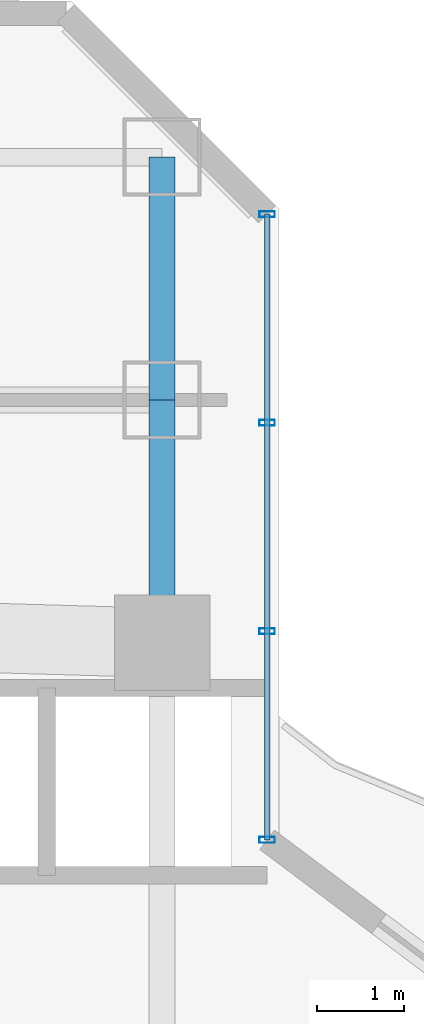
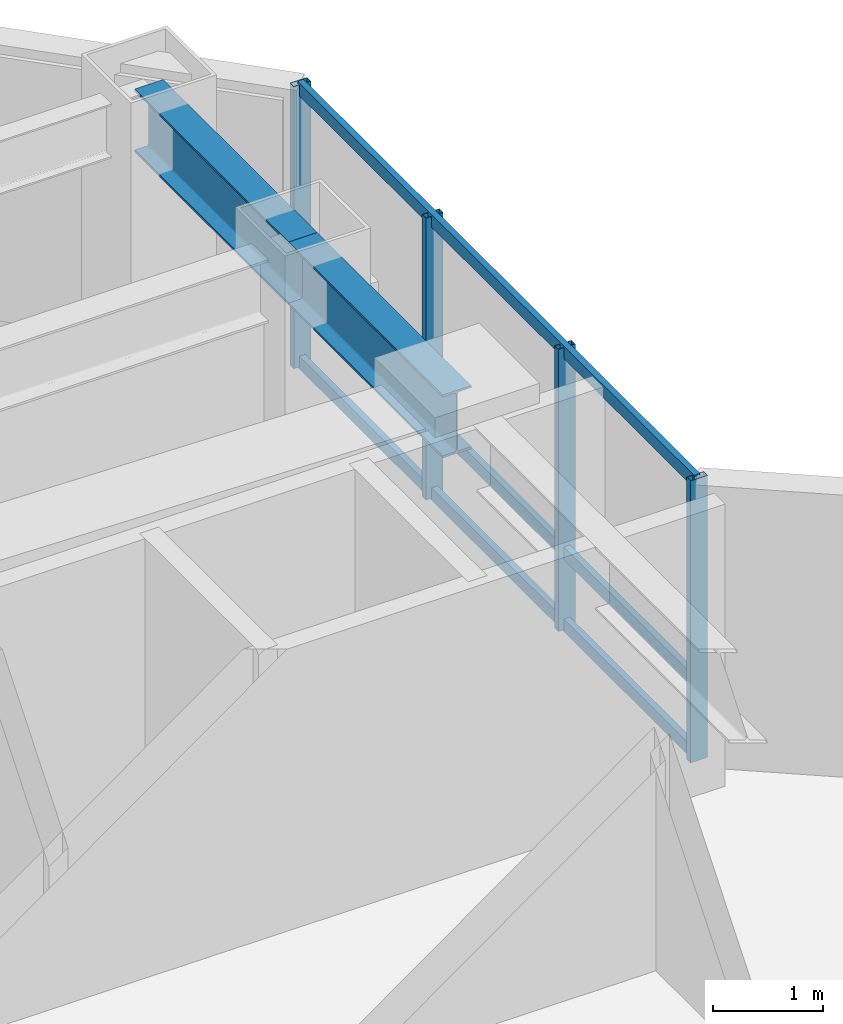
# One storey, part 19 of 31: 7 members, 2 beams, 1 element without a shape of its own.
"""IFC4 building model written with IfcOpenShell, lengths in metres."""

from ifc_helpers import new_model, si_unit, direction, frame, origin, origin_2d, place, context, subcontext, project, spatial, hollow_rectangle, i_section, extrude, material, layer, layer_set, material_profile, profile_set, type_object, element, aggregate, save


model = new_model("IFC4")

# Units and contexts
model_context = context("Model", 3, precision=1e-05, world=origin(), true_north=direction((0.0, 1.0)))
body_context = subcontext(model_context, "Body", "Model", "MODEL_VIEW")
ifc_project = project(units=[si_unit("LENGTHUNIT", "METRE"), si_unit("AREAUNIT", "SQUARE_METRE"), si_unit("VOLUMEUNIT", "CUBIC_METRE"), si_unit("PLANEANGLEUNIT", "RADIAN"), si_unit("MASSUNIT", "GRAM", prefix="KILO")], contexts=[model_context])

# Site, building, storey
site_placement = place(None, origin())
site = spatial("IfcSite", under=ifc_project, at=site_placement, CompositionType="ELEMENT")
building_placement = place(site_placement, origin())
building = spatial("IfcBuilding", under=site, at=building_placement, Name="Hatsunagi Terrace Concourse", CompositionType="ELEMENT")
storey_placement = place(building_placement, frame((0.0, 0.0, 81.300048828125)))
storey = spatial("IfcBuildingStorey", under=building, at=storey_placement, Name="L21", CompositionType="ELEMENT", Elevation=81.300048828125)

# Curtain wall, members
ifc_material_1 = material(Name="Anodised Aluminium Alloy 6063-T5", Category="aluminium")
ifc_layer = layer(ifc_material_1, 0.199951171875)
ifc_layer_set = layer_set([ifc_layer], Name="HotelFacade_CW02")
curtain_wall_type = type_object("IfcCurtainWallType", Name="HotelFacade_CW02", PredefinedType="NOTDEFINED", material=ifc_layer_set)
curtain_wall_placement = place(storey_placement, origin())
curtain_wall = element("IfcCurtainWall", 1, at=curtain_wall_placement, inside=storey, type_object=curtain_wall_type, Name="Unitised Curtain Wall CW-02 CW-L21-13", PredefinedType="NOTDEFINED")
ifc_material_2 = material(Name="Anodised Aluminium Alloy 6063-T5", Category="aluminium")
ifc_material_profile_1 = material_profile(ifc_material_2, hollow_rectangle(XDim=0.070068359375, YDim=0.179931640625, WallThickness=0.00390625, at=origin_2d()), Name="ALU-MUL-180x70x4")
ifc_profile_set_1 = profile_set([ifc_material_profile_1], Name="Anodised Aluminium Alloy 6063-T5")
member_type_1 = type_object("IfcMemberType", Name="CurtainWallMullion_180x70", PredefinedType="MULLION", material=ifc_profile_set_1)
member_1_placement = place(storey_placement, frame((44.860107421875, 47.94189453125, 0.0), z_axis=(0.0, 0.0, 1.0), x_axis=(0.0, -1.0, 0.0)))
member_1 = element("IfcMember", 2, at=member_1_placement, type_object=member_type_1, Name="Curtain Wall Mullion MUL-02", PredefinedType="MULLION", context=body_context, shape_type="SweptSolid", body=[
    extrude(hollow_rectangle(XDim=0.070068359375, YDim=0.179931640625, WallThickness=0.00390625, at=origin_2d()), origin(), (0.0, 0.0, 1.0), 3.1298828125),
])
member_2_placement = place(storey_placement, frame((44.860107421875, 45.5380859375, 0.0), z_axis=(0.0, 0.0, 1.0), x_axis=(0.0, -1.0, 0.0)))
member_2 = element("IfcMember", 3, at=member_2_placement, type_object=member_type_1, Name="Curtain Wall Mullion MUL-02", PredefinedType="MULLION", context=body_context, shape_type="SweptSolid", body=[
    extrude(hollow_rectangle(XDim=0.070068359375, YDim=0.179931640625, WallThickness=0.00390625, at=origin_2d()), origin(), (0.0, 0.0, 1.0), 3.1298828125),
])
member_3_placement = place(storey_placement, frame((44.860107421875, 43.134033203125, 0.0), z_axis=(0.0, 0.0, 1.0), x_axis=(0.0, -1.0, 0.0)))
member_3 = element("IfcMember", 4, at=member_3_placement, type_object=member_type_1, Name="Curtain Wall Mullion MUL-02", PredefinedType="MULLION", context=body_context, shape_type="SweptSolid", body=[
    extrude(hollow_rectangle(XDim=0.070068359375, YDim=0.179931640625, WallThickness=0.00390625, at=origin_2d()), origin(), (0.0, 0.0, 1.0), 3.1298828125),
])
member_4_placement = place(storey_placement, frame((44.860107421875, 40.72998046875, 0.0), z_axis=(0.0, 0.0, 1.0), x_axis=(0.0, -1.0, 0.0)))
member_4 = element("IfcMember", 5, at=member_4_placement, type_object=member_type_1, Name="Curtain Wall Mullion MUL-02", PredefinedType="MULLION", context=body_context, shape_type="SweptSolid", body=[
    extrude(hollow_rectangle(XDim=0.070068359375, YDim=0.179931640625, WallThickness=0.00390625, at=origin_2d()), origin(), (0.0, 0.0, 1.0), 3.1298828125),
])
ifc_material_3 = material(Name="Anodised Aluminium Alloy 6063-T5", Category="aluminium")
ifc_material_profile_2 = material_profile(ifc_material_3, hollow_rectangle(XDim=0.06494140625, YDim=0.139892578125, WallThickness=0.00390625, at=origin_2d()), Name="ALU-TRN-140x65x4")
ifc_profile_set_2 = profile_set([ifc_material_profile_2], Name="Anodised Aluminium Alloy 6063-T5")
member_type_2 = type_object("IfcMemberType", Name="CurtainWallTransom_140x65", PredefinedType="USERDEFINED", material=ifc_profile_set_2)
member_5_placement = place(storey_placement, frame((44.860107421875, 47.94189453125, 0.050048828125), z_axis=(0.0, -1.0, 0.0), x_axis=(1.0, 0.0, 0.0)))
member_5 = element("IfcMember", 6, at=member_5_placement, type_object=member_type_2, Name="Curtain Wall Transom TRN-02", ObjectType="TRANSOM", PredefinedType="USERDEFINED", context=body_context, shape_type="SweptSolid", body=[
    extrude(hollow_rectangle(XDim=0.06494140625, YDim=0.139892578125, WallThickness=0.00390625, at=origin_2d()), origin(), (0.0, 0.0, 1.0), 7.2119140625),
])
member_6_placement = place(storey_placement, frame((44.860107421875, 47.94189453125, 0.849853515625), z_axis=(0.0, -1.0, 0.0), x_axis=(1.0, 0.0, 0.0)))
member_6 = element("IfcMember", 7, at=member_6_placement, type_object=member_type_2, Name="Curtain Wall Transom TRN-02", ObjectType="TRANSOM", PredefinedType="USERDEFINED", context=body_context, shape_type="SweptSolid", body=[
    extrude(hollow_rectangle(XDim=0.06494140625, YDim=0.139892578125, WallThickness=0.00390625, at=origin_2d()), origin(), (0.0, 0.0, 1.0), 7.2119140625),
])
member_7_placement = place(storey_placement, frame((44.860107421875, 47.94189453125, 3.079833984375), z_axis=(0.0, -1.0, 0.0), x_axis=(1.0, 0.0, 0.0)))
member_7 = element("IfcMember", 8, at=member_7_placement, type_object=member_type_2, Name="Curtain Wall Transom TRN-02", ObjectType="TRANSOM", PredefinedType="USERDEFINED", context=body_context, shape_type="SweptSolid", body=[
    extrude(hollow_rectangle(XDim=0.06494140625, YDim=0.139892578125, WallThickness=0.00390625, at=origin_2d()), origin(), (0.0, 0.0, 1.0), 7.2119140625),
])
aggregate(curtain_wall, [member_1, member_2, member_3, member_4, member_5, member_6, member_7])

# Beams
ifc_material_4 = material(Name="Steel SN490B", Category="steel")
ifc_material_profile_3 = material_profile(ifc_material_4, i_section(OverallWidth=0.300048828125, OverallDepth=0.699951171875, WebThickness=0.012939453125, FlangeThickness=0.02392578125, FilletRadius=0.02197265625, at=origin_2d()), Name="H-700x300x13x24")
ifc_profile_set_3 = profile_set([ifc_material_profile_3], Name="Steel SN490B")
beam_type = type_object("IfcBeamType", Name="HotelFloorGirder_H_700x300", PredefinedType="BEAM", material=ifc_profile_set_3)
for number, where, z_axis, x_axis, name in (
    (9, (43.64990234375, 43.0, 2.780029296875), (0.0, 1.0, 0.0), (-1.0, 0.0, 0.0), "Beam G-04 BM-L21-CN3"),
    (10, (43.64990234375, 45.800048828125, 2.780029296875), (0.0, 1.0, 0.0), (-1.0, 0.0, 0.0), "Beam G-04 BM-L21-KN-WN6"),
):
    element("IfcBeam", number, at=place(storey_placement, frame(where, z_axis=z_axis, x_axis=x_axis)), inside=storey, type_object=beam_type, Name=name, PredefinedType="BEAM", context=body_context, shape_type="SweptSolid", body=[
        extrude(i_section(OverallWidth=0.300048828125, OverallDepth=0.699951171875, WebThickness=0.012939453125, FlangeThickness=0.02392578125, FilletRadius=0.02197265625, at=origin_2d()), origin(), (0.0, 0.0, 1.0), 2.800048828125),
    ])

save(model, "model.ifc")
